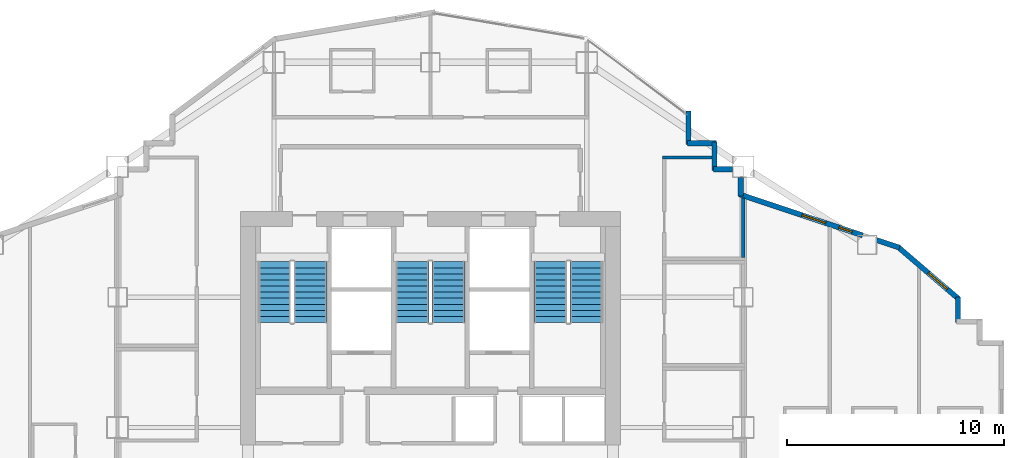
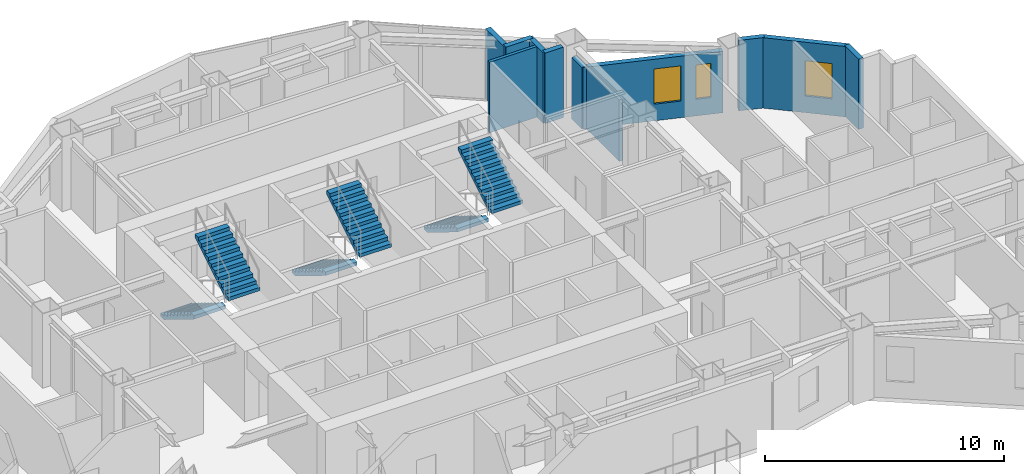
# One storey, part 12 of 14: 11 walls, 6 stair flights, 3 windows, 3 openings, 3 elements without a shape of their own.
"""IFC4 building model written with IfcOpenShell, lengths in metres."""

from ifc_helpers import new_model, si_unit, direction, frame, frame_2d, origin, place, context, subcontext, project, spatial, polyline, rectangle, outline, extrude, material, layer, layer_set, type_object, element, fill, aggregate, save


model = new_model("IFC4")

# Units and contexts
model_context = context("Model", 3, precision=1e-05, world=origin(), true_north=direction((0.0, 1.0)))
body_context = subcontext(model_context, "Body", "Model", "MODEL_VIEW")
ifc_project = project(units=[si_unit("LENGTHUNIT", "METRE"), si_unit("AREAUNIT", "SQUARE_METRE"), si_unit("VOLUMEUNIT", "CUBIC_METRE"), si_unit("PLANEANGLEUNIT", "RADIAN"), si_unit("MASSUNIT", "GRAM", prefix="KILO")], contexts=[model_context])

# Site, building, storey
site_placement = place(None, origin())
site = spatial("IfcSite", under=ifc_project, at=site_placement, CompositionType="ELEMENT")
building_placement = place(site_placement, origin())
building = spatial("IfcBuilding", under=site, at=building_placement, Name="Haolan Belvedere Tower", CompositionType="ELEMENT")
storey_placement = place(building_placement, frame((0.0, 0.0, 121.199951171875)))
storey = spatial("IfcBuildingStorey", under=building, at=storey_placement, Name="L30", CompositionType="ELEMENT", Elevation=121.199951171875)

# Wall
ifc_material_1 = material(Name="Precast concrete C40/50", Category="concrete")
ifc_layer_1 = layer(ifc_material_1, 0.239990234375, Name="Precast concrete C40/50")
ifc_layer_set_1 = layer_set([ifc_layer_1], Name="Precast concrete C40/50")
wall_type_1 = type_object("IfcWallType", Name="WL-EXT-240", PredefinedType="SOLIDWALL", material=ifc_layer_set_1)
wall_1_placement = place(storey_placement, frame((62.679931640625, 38.425048828125, 0.0), z_axis=(0.0, 0.0, 1.0), x_axis=(0.0, 1.0, 0.0)))
element("IfcWall", 1, at=wall_1_placement, inside=storey, type_object=wall_type_1, Name="L30 pale-metal exterior spandrel wall 18.1", PredefinedType="SOLIDWALL", context=body_context, shape_type="SweptSolid", body=[
    extrude(rectangle(XDim=1.1748046875, YDim=0.239990234375, at=frame_2d((0.58740234375, 0.0))), origin(), (0.0, 0.0, 1.0), 3.60009765625),
])

# Wall, opening, window
wall_2_placement = place(storey_placement, frame((62.7216796875, 39.509033203125, 0.0), z_axis=(0.0, 0.0, 1.0), x_axis=(-0.759247334792, 0.650802185469, 0.0)))
wall_2 = element("IfcWall", 2, at=wall_2_placement, inside=storey, type_object=wall_type_1, Name="L30 pale-metal exterior spandrel wall 19.1", PredefinedType="SOLIDWALL", context=body_context, shape_type="SweptSolid", body=[
    extrude(rectangle(XDim=3.71923828125, YDim=0.239990234375, at=frame_2d((1.859619140625, 0.0))), origin(), (0.0, 0.0, 1.0), 3.60009765625),
])
opening_1_placement = place(wall_2_placement, frame((0.699951171875, 0.0, 0.85009765625)))
opening_1 = element("IfcOpeningElement", 3, at=opening_1_placement, cuts=wall_2, Name="Opening W-02", PredefinedType="OPENING", context=body_context, shape_type="SweptSolid", body=[
    extrude(rectangle(XDim=1.14990234375, YDim=1.800048828125, at=frame_2d((0.574951171875, 0.89990234375))), frame((0.0, 0.1298828125, 0.0), z_axis=(0.0, -1.0, 0.0), x_axis=(1.0, 0.0, 0.0)), (0.0, 0.0, 1.0), 0.260009765625),
])
ifc_material_2 = material(Name="Anodised aluminium 6063-T6 and Low-E glass", Category="aluminium")
window_type_1 = type_object("IfcWindowType", Name="WN-DECO-Z2", PartitioningType="SINGLE_PANEL", PredefinedType="WINDOW", material=ifc_material_2)
window_1_placement = place(opening_1_placement, origin())
window_1 = element("IfcWindow", 4, at=window_1_placement, inside=storey, type_object=window_type_1, Name="L30 Art Deco chevron window 1", OverallHeight=1.800048828125, OverallWidth=1.14990234375, PartitioningType="SINGLE_PANEL", PredefinedType="WINDOW", context=body_context, shape_type="SweptSolid", body=[
    extrude(rectangle(XDim=1.14990234375, YDim=1.800048828125, at=frame_2d((0.574951171875, 0.89990234375))), frame((0.0, 0.030029296875, 0.0), z_axis=(0.0, -1.0, 0.0), x_axis=(1.0, 0.0, 0.0)), (0.0, 0.0, 1.0), 0.06005859375),
])
fill(opening_1, window_1)

# Wall
wall_3_placement = place(storey_placement, frame((59.991943359375, 41.876220703125, 0.0), z_axis=(0.0, 0.0, 1.0), x_axis=(-0.948661238983, 0.316293935527, 0.0)))
element("IfcWall", 5, at=wall_3_placement, inside=storey, type_object=wall_type_1, Name="L30 pale-metal exterior spandrel wall 20.1", PredefinedType="SOLIDWALL", context=body_context, shape_type="SweptSolid", body=[
    extrude(rectangle(XDim=1.10693359375, YDim=0.239990234375, at=frame_2d((0.553466796875, 0.0))), origin(), (0.0, 0.0, 1.0), 3.60009765625),
])

# Wall, openings, windows
wall_4_placement = place(storey_placement, frame((58.294677734375, 42.44189453125, 0.0), z_axis=(0.0, 0.0, 1.0), x_axis=(-0.948687385027, 0.316215504823, 0.0)))
wall_4 = element("IfcWall", 6, at=wall_4_placement, inside=storey, type_object=wall_type_1, Name="L30 pale-metal exterior spandrel wall 20.2", PredefinedType="SOLIDWALL", context=body_context, shape_type="SweptSolid", body=[
    extrude(rectangle(XDim=5.973388671875, YDim=0.239990234375, at=frame_2d((2.98681640625, 0.0))), origin(), (0.0, 0.0, 1.0), 3.14501953125),
])
opening_2_placement = place(wall_4_placement, frame((1.79638671875, 0.0, 0.85009765625)))
opening_2 = element("IfcOpeningElement", 7, at=opening_2_placement, cuts=wall_4, Name="Opening W-02", PredefinedType="OPENING", context=body_context, shape_type="SweptSolid", body=[
    extrude(rectangle(XDim=1.14990234375, YDim=1.800048828125, at=frame_2d((0.574951171875, 0.89990234375))), frame((0.0, 0.1298828125, 0.0), z_axis=(0.0, -1.0, 0.0), x_axis=(1.0, 0.0, 0.0)), (0.0, 0.0, 1.0), 0.260009765625),
])
opening_3_placement = place(wall_4_placement, frame((0.5048828125, 0.0, 0.85009765625)))
opening_3 = element("IfcOpeningElement", 8, at=opening_3_placement, cuts=wall_4, Name="Opening W-06", PredefinedType="OPENING", context=body_context, shape_type="SweptSolid", body=[
    extrude(rectangle(XDim=0.64990234375, YDim=1.75, at=frame_2d((0.324951171875, 0.875))), frame((0.0, 0.1298828125, 0.0), z_axis=(0.0, -1.0, 0.0), x_axis=(1.0, 0.0, 0.0)), (0.0, 0.0, 1.0), 0.260009765625),
])
window_type_2 = type_object("IfcWindowType", Name="WN-DECO-N65", PartitioningType="SINGLE_PANEL", PredefinedType="WINDOW", material=ifc_material_2)
window_2_placement = place(opening_3_placement, origin())
window_2 = element("IfcWindow", 9, at=window_2_placement, inside=storey, type_object=window_type_2, Name="L30 Art Deco guestroom window 2", OverallHeight=1.75, OverallWidth=0.64990234375, PartitioningType="SINGLE_PANEL", PredefinedType="WINDOW", context=body_context, shape_type="SweptSolid", body=[
    extrude(rectangle(XDim=0.64990234375, YDim=1.75, at=frame_2d((0.324951171875, 0.875))), frame((0.0, 0.030029296875, 0.0), z_axis=(0.0, -1.0, 0.0), x_axis=(1.0, 0.0, 0.0)), (0.0, 0.0, 1.0), 0.06005859375),
])
fill(opening_3, window_2)
window_3_placement = place(opening_2_placement, origin())
window_3 = element("IfcWindow", 10, at=window_3_placement, inside=storey, type_object=window_type_1, Name="L30 Art Deco chevron window 1", OverallHeight=1.800048828125, OverallWidth=1.14990234375, PartitioningType="SINGLE_PANEL", PredefinedType="WINDOW", context=body_context, shape_type="SweptSolid", body=[
    extrude(rectangle(XDim=1.14990234375, YDim=1.800048828125, at=frame_2d((0.574951171875, 0.89990234375))), frame((0.0, 0.030029296875, 0.0), z_axis=(0.0, -1.0, 0.0), x_axis=(1.0, 0.0, 0.0)), (0.0, 0.0, 1.0), 0.06005859375),
])
fill(opening_2, window_3)

# Walls
wall_5_placement = place(storey_placement, frame((52.679931640625, 44.258544921875, 0.0), z_axis=(0.0, 0.0, 1.0), x_axis=(0.0, 1.0, 0.0)))
element("IfcWall", 11, at=wall_5_placement, inside=storey, type_object=wall_type_1, Name="L30 pale-metal exterior spandrel wall 21.1", PredefinedType="SOLIDWALL", context=body_context, shape_type="SweptSolid", body=[
    extrude(rectangle(XDim=0.849365234375, YDim=0.239990234375, at=frame_2d((0.4248046875, 0.0))), origin(), (0.0, 0.0, 1.0), 3.14501953125),
])
wall_6_placement = place(storey_placement, frame((52.30810546875, 45.47998046875, 0.0), z_axis=(0.0, 0.0, 1.0), x_axis=(-1.0, 0.0, 0.0)))
element("IfcWall", 12, at=wall_6_placement, inside=storey, type_object=wall_type_1, Name="L30 pale-metal exterior spandrel wall 22.1", PredefinedType="SOLIDWALL", context=body_context, shape_type="SweptSolid", body=[
    extrude(rectangle(XDim=0.883056640625, YDim=0.239990234375, at=frame_2d((0.44140625, 0.0))), origin(), (0.0, 0.0, 1.0), 3.60009765625),
])
wall_7_placement = place(storey_placement, frame((51.47998046875, 45.425048828125, 0.0), z_axis=(0.0, 0.0, 1.0), x_axis=(0.0, 1.0, 0.0)))
element("IfcWall", 13, at=wall_7_placement, inside=storey, type_object=wall_type_1, Name="L30 pale-metal exterior spandrel wall 23.1", PredefinedType="SOLIDWALL", context=body_context, shape_type="SweptSolid", body=[
    extrude(rectangle(XDim=1.31005859375, YDim=0.239990234375, at=frame_2d((0.655029296875, 0.0))), origin(), (0.0, 0.0, 1.0), 3.60009765625),
])
wall_8_placement = place(storey_placement, frame((51.534912109375, 46.679931640625, 0.0), z_axis=(0.0, 0.0, 1.0), x_axis=(-1.0, 0.0, 0.0)))
element("IfcWall", 14, at=wall_8_placement, inside=storey, type_object=wall_type_1, Name="L30 pale-metal exterior spandrel wall 24.1", PredefinedType="SOLIDWALL", context=body_context, shape_type="SweptSolid", body=[
    extrude(rectangle(XDim=1.309814453125, YDim=0.239990234375, at=frame_2d((0.65478515625, 0.0))), origin(), (0.0, 0.0, 1.0), 3.60009765625),
])
wall_9_placement = place(storey_placement, frame((50.280029296875, 46.625, 0.0), z_axis=(0.0, 0.0, 1.0), x_axis=(0.0, 1.0, 0.0)))
element("IfcWall", 15, at=wall_9_placement, inside=storey, type_object=wall_type_1, Name="L30 pale-metal exterior spandrel wall 25.1", PredefinedType="SOLIDWALL", context=body_context, shape_type="SweptSolid", body=[
    extrude(rectangle(XDim=1.5400390625, YDim=0.239990234375, at=frame_2d((0.77001953125, 0.0))), origin(), (0.0, 0.0, 1.0), 3.60009765625),
])
ifc_material_3 = material(Name="Double gypsum acoustic stud partition", Category="masonry")
ifc_layer_2 = layer(ifc_material_3, 0.14990234375, Name="Double gypsum acoustic stud partition")
ifc_layer_set_2 = layer_set([ifc_layer_2], Name="Double gypsum acoustic stud partition")
wall_type_2 = type_object("IfcWallType", Name="WL-PART-150", PredefinedType="PARTITIONING", material=ifc_layer_set_2)
wall_10_placement = place(storey_placement, frame((49.080078125, 46.02001953125, 0.0), z_axis=(0.0, 0.0, 1.0), x_axis=(1.0, 0.0, 0.0)))
element("IfcWall", 16, at=wall_10_placement, inside=storey, type_object=wall_type_2, Name="L30 interior partition IW-L30-PNT-N", PredefinedType="PARTITIONING", context=body_context, shape_type="SweptSolid", body=[
    extrude(rectangle(XDim=2.294921875, YDim=0.14990234375, at=frame_2d((1.1474609375, 0.0))), origin(), (0.0, 0.0, 1.0), 3.60009765625),
])
wall_11_placement = place(storey_placement, frame((52.800048828125, 41.419921875, 0.0), z_axis=(0.0, 0.0, 1.0), x_axis=(0.0, 1.0, 0.0)))
element("IfcWall", 17, at=wall_11_placement, inside=storey, type_object=wall_type_2, Name="L30 interior partition IW-L30-PNT-E", PredefinedType="PARTITIONING", context=body_context, shape_type="SweptSolid", body=[
    extrude(rectangle(XDim=2.742919921875, YDim=0.14990234375, at=frame_2d((1.37158203125, 0.0))), origin(), (0.0, 0.0, 1.0), 3.14501953125),
])

# Stair, stair flights
ifc_material_4 = material(Name="Concrete C40/50", Category="concrete")
stair_type = type_object("IfcStairType", Name="STR-DL-22R-173", PredefinedType="HALF_TURN_STAIR", material=ifc_material_4)
stair_1_placement = place(storey_placement, origin())
stair_1 = element("IfcStair", 18, at=stair_1_placement, inside=storey, type_object=stair_type, Name="L30 Smokeproof Core Exit Stair ST1", PredefinedType="HALF_TURN_STAIR")
stair_flight_type = type_object("IfcStairFlightType", Name="SFL-DL-11R-173", PredefinedType="STRAIGHT", material=ifc_material_4)
stair_flight_1_placement = place(storey_placement, frame((31.2099609375, 41.22998046875, 0.0), z_axis=(0.0, 0.0, 1.0), x_axis=(0.0, -1.0, 0.0)))
stair_flight_1 = element("IfcStairFlight", 19, at=stair_flight_1_placement, type_object=stair_flight_type, Name="ST1 flight 1", NumberOfRisers=11, NumberOfTreads=10, PredefinedType="STRAIGHT", RiserHeight=0.172727273, TreadLength=0.28, context=body_context, shape_type="SweptSolid", body=[
    extrude(outline(polyline([(0.0, 0.0), (0.0, 0.172607421875), (0.280029296875, 0.172607421875), (0.280029296875, 0.345458984375), (0.56005859375, 0.345458984375), (0.56005859375, 0.51806640625), (0.840087890625, 0.51806640625), (0.840087890625, 0.69091796875), (1.1201171875, 0.69091796875), (1.1201171875, 0.863525390625), (1.39990234375, 0.863525390625), (1.39990234375, 1.036376953125), (1.679931640625, 1.036376953125), (1.679931640625, 1.208984375), (1.9599609375, 1.208984375), (1.9599609375, 1.3818359375), (2.239990234375, 1.3818359375), (2.239990234375, 1.554443359375), (2.52001953125, 1.554443359375), (2.52001953125, 1.727294921875), (2.800048828125, 1.727294921875), (2.800048828125, 1.89990234375), (2.800048828125, 1.551025390625), (0.285400390625, 0.0), (0.0, 0.0)])), frame((0.0, 0.760009765625, 0.0), z_axis=(0.0, -1.0, 0.0), x_axis=(1.0, 0.0, 0.0)), (0.0, 0.0, 1.0), 1.52001953125),
])
stair_flight_2_placement = place(storey_placement, frame((32.8701171875, 38.429931640625, 1.900146484375), z_axis=(0.0, 0.0, 1.0), x_axis=(0.0, 1.0, 0.0)))
stair_flight_2 = element("IfcStairFlight", 20, at=stair_flight_2_placement, type_object=stair_flight_type, Name="ST1 flight 2", NumberOfRisers=11, NumberOfTreads=10, PredefinedType="STRAIGHT", RiserHeight=0.172727273, TreadLength=0.28, context=body_context, shape_type="SweptSolid", body=[
    extrude(outline(polyline([(0.0, 0.0), (0.0, 0.172607421875), (0.280029296875, 0.172607421875), (0.280029296875, 0.345458984375), (0.56005859375, 0.345458984375), (0.56005859375, 0.51806640625), (0.840087890625, 0.51806640625), (0.840087890625, 0.69091796875), (1.1201171875, 0.69091796875), (1.1201171875, 0.863525390625), (1.39990234375, 0.863525390625), (1.39990234375, 1.036376953125), (1.679931640625, 1.036376953125), (1.679931640625, 1.208984375), (1.9599609375, 1.208984375), (1.9599609375, 1.3818359375), (2.239990234375, 1.3818359375), (2.239990234375, 1.554443359375), (2.52001953125, 1.554443359375), (2.52001953125, 1.727294921875), (2.800048828125, 1.727294921875), (2.800048828125, 1.89990234375), (2.800048828125, 1.551025390625), (0.285400390625, 0.0), (0.0, 0.0)])), frame((0.0, 0.760009765625, 0.0), z_axis=(0.0, -1.0, 0.0), x_axis=(1.0, 0.0, 0.0)), (0.0, 0.0, 1.0), 1.52001953125),
])
aggregate(stair_1, [stair_flight_1, stair_flight_2])

stair_2_placement = place(storey_placement, origin())
stair_2 = element("IfcStair", 21, at=stair_2_placement, inside=storey, type_object=stair_type, Name="L30 Smokeproof Core Exit Stair ST3", PredefinedType="HALF_TURN_STAIR")
stair_flight_3_placement = place(storey_placement, frame((37.570068359375, 41.22998046875, 0.0), z_axis=(0.0, 0.0, 1.0), x_axis=(0.0, -1.0, 0.0)))
stair_flight_3 = element("IfcStairFlight", 22, at=stair_flight_3_placement, type_object=stair_flight_type, Name="ST3 flight 1", NumberOfRisers=11, NumberOfTreads=10, PredefinedType="STRAIGHT", RiserHeight=0.172727273, TreadLength=0.28, context=body_context, shape_type="SweptSolid", body=[
    extrude(outline(polyline([(0.0, 0.0), (0.0, 0.172607421875), (0.280029296875, 0.172607421875), (0.280029296875, 0.345458984375), (0.56005859375, 0.345458984375), (0.56005859375, 0.51806640625), (0.840087890625, 0.51806640625), (0.840087890625, 0.69091796875), (1.1201171875, 0.69091796875), (1.1201171875, 0.863525390625), (1.39990234375, 0.863525390625), (1.39990234375, 1.036376953125), (1.679931640625, 1.036376953125), (1.679931640625, 1.208984375), (1.9599609375, 1.208984375), (1.9599609375, 1.3818359375), (2.239990234375, 1.3818359375), (2.239990234375, 1.554443359375), (2.52001953125, 1.554443359375), (2.52001953125, 1.727294921875), (2.800048828125, 1.727294921875), (2.800048828125, 1.89990234375), (2.800048828125, 1.551025390625), (0.285400390625, 0.0), (0.0, 0.0)])), frame((0.0, 0.760009765625, 0.0), z_axis=(0.0, -1.0, 0.0), x_axis=(1.0, 0.0, 0.0)), (0.0, 0.0, 1.0), 1.52001953125),
])
stair_flight_4_placement = place(storey_placement, frame((39.22998046875, 38.429931640625, 1.900146484375), z_axis=(0.0, 0.0, 1.0), x_axis=(0.0, 1.0, 0.0)))
stair_flight_4 = element("IfcStairFlight", 23, at=stair_flight_4_placement, type_object=stair_flight_type, Name="ST3 flight 2", NumberOfRisers=11, NumberOfTreads=10, PredefinedType="STRAIGHT", RiserHeight=0.172727273, TreadLength=0.28, context=body_context, shape_type="SweptSolid", body=[
    extrude(outline(polyline([(0.0, 0.0), (0.0, 0.172607421875), (0.280029296875, 0.172607421875), (0.280029296875, 0.345458984375), (0.56005859375, 0.345458984375), (0.56005859375, 0.51806640625), (0.840087890625, 0.51806640625), (0.840087890625, 0.69091796875), (1.1201171875, 0.69091796875), (1.1201171875, 0.863525390625), (1.39990234375, 0.863525390625), (1.39990234375, 1.036376953125), (1.679931640625, 1.036376953125), (1.679931640625, 1.208984375), (1.9599609375, 1.208984375), (1.9599609375, 1.3818359375), (2.239990234375, 1.3818359375), (2.239990234375, 1.554443359375), (2.52001953125, 1.554443359375), (2.52001953125, 1.727294921875), (2.800048828125, 1.727294921875), (2.800048828125, 1.89990234375), (2.800048828125, 1.551025390625), (0.285400390625, 0.0), (0.0, 0.0)])), frame((0.0, 0.760009765625, 0.0), z_axis=(0.0, -1.0, 0.0), x_axis=(1.0, 0.0, 0.0)), (0.0, 0.0, 1.0), 1.52001953125),
])
aggregate(stair_2, [stair_flight_3, stair_flight_4])

stair_3_placement = place(storey_placement, origin())
stair_3 = element("IfcStair", 24, at=stair_3_placement, inside=storey, type_object=stair_type, Name="L30 Smokeproof Core Exit Stair ST2", PredefinedType="HALF_TURN_STAIR")
stair_flight_5_placement = place(storey_placement, frame((43.929931640625, 41.22998046875, 0.0), z_axis=(0.0, 0.0, 1.0), x_axis=(0.0, -1.0, 0.0)))
stair_flight_5 = element("IfcStairFlight", 25, at=stair_flight_5_placement, type_object=stair_flight_type, Name="ST2 flight 1", NumberOfRisers=11, NumberOfTreads=10, PredefinedType="STRAIGHT", RiserHeight=0.172727273, TreadLength=0.28, context=body_context, shape_type="SweptSolid", body=[
    extrude(outline(polyline([(0.0, 0.0), (0.0, 0.172607421875), (0.280029296875, 0.172607421875), (0.280029296875, 0.345458984375), (0.56005859375, 0.345458984375), (0.56005859375, 0.51806640625), (0.840087890625, 0.51806640625), (0.840087890625, 0.69091796875), (1.1201171875, 0.69091796875), (1.1201171875, 0.863525390625), (1.39990234375, 0.863525390625), (1.39990234375, 1.036376953125), (1.679931640625, 1.036376953125), (1.679931640625, 1.208984375), (1.9599609375, 1.208984375), (1.9599609375, 1.3818359375), (2.239990234375, 1.3818359375), (2.239990234375, 1.554443359375), (2.52001953125, 1.554443359375), (2.52001953125, 1.727294921875), (2.800048828125, 1.727294921875), (2.800048828125, 1.89990234375), (2.800048828125, 1.551025390625), (0.285400390625, 0.0), (0.0, 0.0)])), frame((0.0, 0.760009765625, 0.0), z_axis=(0.0, -1.0, 0.0), x_axis=(1.0, 0.0, 0.0)), (0.0, 0.0, 1.0), 1.52001953125),
])
stair_flight_6_placement = place(storey_placement, frame((45.590087890625, 38.429931640625, 1.900146484375), z_axis=(0.0, 0.0, 1.0), x_axis=(0.0, 1.0, 0.0)))
stair_flight_6 = element("IfcStairFlight", 26, at=stair_flight_6_placement, type_object=stair_flight_type, Name="ST2 flight 2", NumberOfRisers=11, NumberOfTreads=10, PredefinedType="STRAIGHT", RiserHeight=0.172727273, TreadLength=0.28, context=body_context, shape_type="SweptSolid", body=[
    extrude(outline(polyline([(0.0, 0.0), (0.0, 0.172607421875), (0.280029296875, 0.172607421875), (0.280029296875, 0.345458984375), (0.56005859375, 0.345458984375), (0.56005859375, 0.51806640625), (0.840087890625, 0.51806640625), (0.840087890625, 0.69091796875), (1.1201171875, 0.69091796875), (1.1201171875, 0.863525390625), (1.39990234375, 0.863525390625), (1.39990234375, 1.036376953125), (1.679931640625, 1.036376953125), (1.679931640625, 1.208984375), (1.9599609375, 1.208984375), (1.9599609375, 1.3818359375), (2.239990234375, 1.3818359375), (2.239990234375, 1.554443359375), (2.52001953125, 1.554443359375), (2.52001953125, 1.727294921875), (2.800048828125, 1.727294921875), (2.800048828125, 1.89990234375), (2.800048828125, 1.551025390625), (0.285400390625, 0.0), (0.0, 0.0)])), frame((0.0, 0.760009765625, 0.0), z_axis=(0.0, -1.0, 0.0), x_axis=(1.0, 0.0, 0.0)), (0.0, 0.0, 1.0), 1.52001953125),
])
aggregate(stair_3, [stair_flight_5, stair_flight_6])

save(model, "model.ifc")
